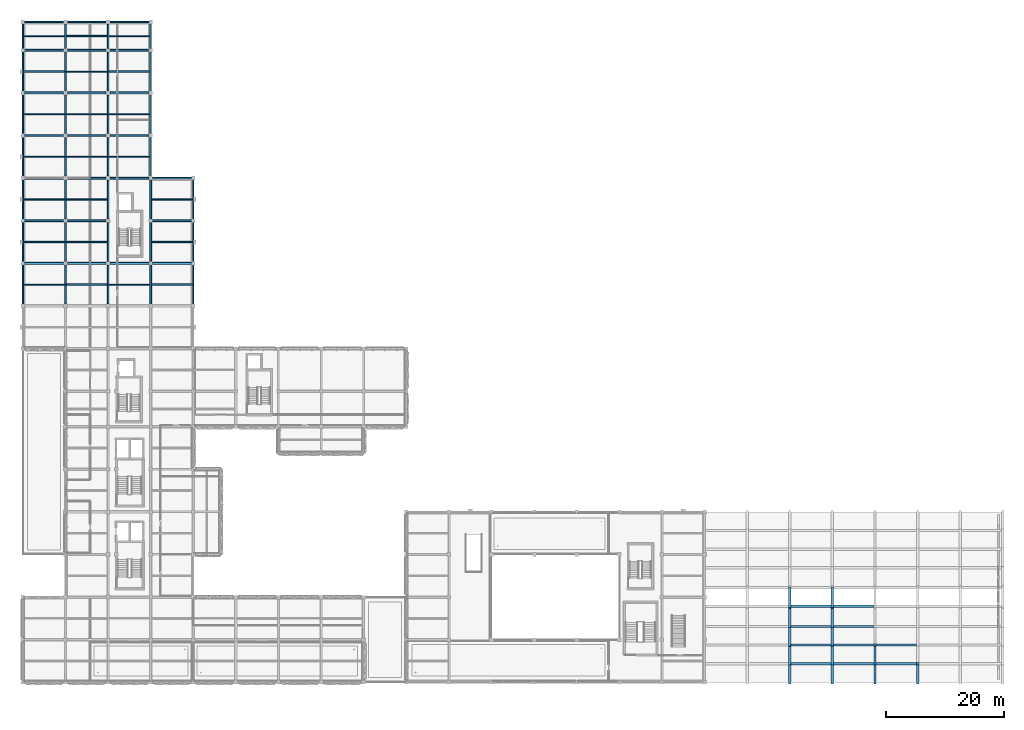
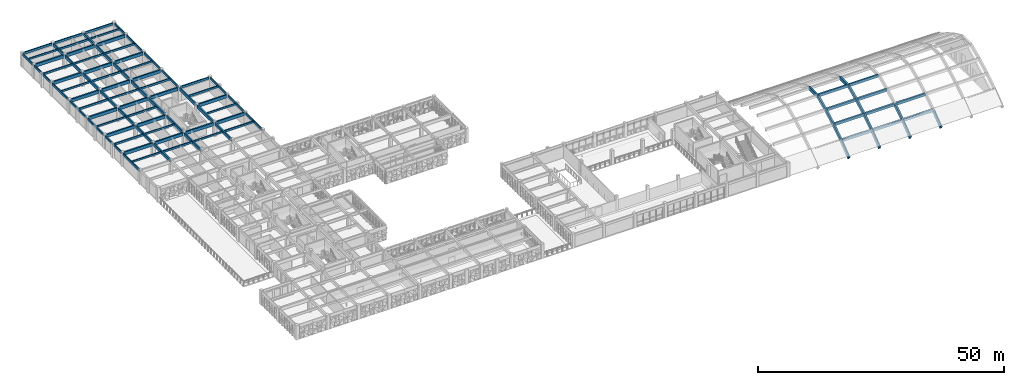
# One storey, part 17 of 85: 99 beams.
"""IFC4 building model written with IfcOpenShell, lengths in metres."""

from ifc_helpers import new_model, si_unit, direction, frame, origin, origin_2d, place, context, subcontext, project, spatial, rectangle, extrude, material, material_profile, profile_set, type_object, element, save


model = new_model("IFC4")

# Units and contexts
model_context = context("Model", 3, precision=1e-05, world=origin(), true_north=direction((0.0, 1.0)))
body_context = subcontext(model_context, "Body", "Model", "MODEL_VIEW")
ifc_project = project(units=[si_unit("LENGTHUNIT", "METRE"), si_unit("AREAUNIT", "SQUARE_METRE"), si_unit("VOLUMEUNIT", "CUBIC_METRE"), si_unit("PLANEANGLEUNIT", "RADIAN"), si_unit("MASSUNIT", "GRAM", prefix="KILO")], contexts=[model_context])

# Site, building, storey
site_placement = place(None, origin())
site = spatial("IfcSite", under=ifc_project, at=site_placement, CompositionType="ELEMENT")
building_placement = place(site_placement, origin())
building = spatial("IfcBuilding", under=site, at=building_placement, Name="Alvorim Cloister Faculty of Sciences", CompositionType="ELEMENT")
storey_placement = place(building_placement, frame((0.0, 0.0, 8.550048828125)))
storey = spatial("IfcBuildingStorey", under=building, at=storey_placement, Name="L02", CompositionType="ELEMENT", Elevation=8.550048828125)

# Beams
ifc_material_1 = material(Name="Concrete C40", Category="concrete")
ifc_material_profile_1 = material_profile(ifc_material_1, rectangle(XDim=0.39990234375, YDim=0.800048828125, at=origin_2d()), Name="RC40-ARCH-400x800")
ifc_profile_set_1 = profile_set([ifc_material_profile_1], Name="Concrete C40")
beam_type_1 = type_object("IfcBeamType", Name="BM-ARCH-400x800", PredefinedType="BEAM", material=ifc_profile_set_1)
beam_1_placement = place(storey_placement, frame((129.60009765625, 0.0, -0.526123046875), z_axis=(0.0, 0.78931927421, 0.61398296667), x_axis=(-1.0, 0.0, 0.0)))
element("IfcBeam", 1, at=beam_1_placement, inside=storey, type_object=beam_type_1, Name="SH-V1 Pointed Arch Rib Chord BM-2274", PredefinedType="BEAM", context=body_context, shape_type="SweptSolid", body=[
    extrude(rectangle(XDim=0.39990234375, YDim=0.800048828125, at=origin_2d()), origin(), (0.0, 0.0, 1.0), 3.99072265625),
])
beam_2_placement = place(storey_placement, frame((129.60009765625, 3.14990234375, 1.924072265625), z_axis=(0.0, 0.836362754786, 0.548176378921), x_axis=(-1.0, 0.0, 0.0)))
element("IfcBeam", 2, at=beam_2_placement, inside=storey, type_object=beam_type_1, Name="SH-V1 Pointed Arch Rib Chord BM-2275", PredefinedType="BEAM", context=body_context, shape_type="SweptSolid", body=[
    extrude(rectangle(XDim=0.39990234375, YDim=0.800048828125, at=origin_2d()), origin(), (0.0, 0.0, 1.0), 3.7666015625),
])
beam_3_placement = place(storey_placement, frame((129.60009765625, 6.300048828125, 3.98876953125), z_axis=(0.0, 0.875903252887, 0.48248677866), x_axis=(-1.0, 0.0, 0.0)))
element("IfcBeam", 3, at=beam_3_placement, inside=storey, type_object=beam_type_1, Name="SH-V1 Pointed Arch Rib Chord BM-2276", PredefinedType="BEAM", context=body_context, shape_type="SweptSolid", body=[
    extrude(rectangle(XDim=0.39990234375, YDim=0.800048828125, at=origin_2d()), origin(), (0.0, 0.0, 1.0), 3.59619140625),
])
beam_4_placement = place(storey_placement, frame((129.60009765625, 9.449951171875, 5.723876953125), z_axis=(0.0, 0.909008111331, 0.416778422587), x_axis=(-1.0, 0.0, 0.0)))
element("IfcBeam", 4, at=beam_4_placement, inside=storey, type_object=beam_type_1, Name="SH-V1 Pointed Arch Rib Chord BM-2277", PredefinedType="BEAM", context=body_context, shape_type="SweptSolid", body=[
    extrude(rectangle(XDim=0.39990234375, YDim=0.800048828125, at=origin_2d()), origin(), (0.0, 0.0, 1.0), 3.465576171875),
])
beam_5_placement = place(storey_placement, frame((129.60009765625, 12.659912109375, 7.1640625), z_axis=(0.0, 1.0, 0.0), x_axis=(-1.0, 0.0, 0.0)))
element("IfcBeam", 5, at=beam_5_placement, inside=storey, type_object=beam_type_1, Name="L02 SH-V1 Arch Crown Tie BM-2282", PredefinedType="BEAM", context=body_context, shape_type="SweptSolid", body=[
    extrude(rectangle(XDim=0.39990234375, YDim=0.800048828125, at=origin_2d()), origin(), (0.0, 0.0, 1.0), 3.47998046875),
])
beam_6_placement = place(storey_placement, frame((136.800048828125, 0.0, -0.526123046875), z_axis=(0.0, 0.78931927421, 0.61398296667), x_axis=(-1.0, 0.0, 0.0)))
element("IfcBeam", 6, at=beam_6_placement, inside=storey, type_object=beam_type_1, Name="SH-V1 Pointed Arch Rib Chord BM-2283", PredefinedType="BEAM", context=body_context, shape_type="SweptSolid", body=[
    extrude(rectangle(XDim=0.39990234375, YDim=0.800048828125, at=origin_2d()), origin(), (0.0, 0.0, 1.0), 3.99072265625),
])
beam_7_placement = place(storey_placement, frame((136.800048828125, 3.14990234375, 1.924072265625), z_axis=(0.0, 0.836362754786, 0.548176378921), x_axis=(-1.0, 0.0, 0.0)))
element("IfcBeam", 7, at=beam_7_placement, inside=storey, type_object=beam_type_1, Name="SH-V1 Pointed Arch Rib Chord BM-2284", PredefinedType="BEAM", context=body_context, shape_type="SweptSolid", body=[
    extrude(rectangle(XDim=0.39990234375, YDim=0.800048828125, at=origin_2d()), origin(), (0.0, 0.0, 1.0), 3.7666015625),
])
beam_8_placement = place(storey_placement, frame((136.800048828125, 6.300048828125, 3.98876953125), z_axis=(0.0, 0.875903252887, 0.48248677866), x_axis=(-1.0, 0.0, 0.0)))
element("IfcBeam", 8, at=beam_8_placement, inside=storey, type_object=beam_type_1, Name="SH-V1 Pointed Arch Rib Chord BM-2285", PredefinedType="BEAM", context=body_context, shape_type="SweptSolid", body=[
    extrude(rectangle(XDim=0.39990234375, YDim=0.800048828125, at=origin_2d()), origin(), (0.0, 0.0, 1.0), 3.59619140625),
])
beam_9_placement = place(storey_placement, frame((136.800048828125, 9.449951171875, 5.723876953125), z_axis=(0.0, 0.909008111331, 0.416778422587), x_axis=(-1.0, 0.0, 0.0)))
element("IfcBeam", 9, at=beam_9_placement, inside=storey, type_object=beam_type_1, Name="SH-V1 Pointed Arch Rib Chord BM-2286", PredefinedType="BEAM", context=body_context, shape_type="SweptSolid", body=[
    extrude(rectangle(XDim=0.39990234375, YDim=0.800048828125, at=origin_2d()), origin(), (0.0, 0.0, 1.0), 3.465576171875),
])
beam_10_placement = place(storey_placement, frame((136.800048828125, 12.659912109375, 7.1640625), z_axis=(0.0, 1.0, 0.0), x_axis=(-1.0, 0.0, 0.0)))
element("IfcBeam", 10, at=beam_10_placement, inside=storey, type_object=beam_type_1, Name="L02 SH-V1 Arch Crown Tie BM-2291", PredefinedType="BEAM", context=body_context, shape_type="SweptSolid", body=[
    extrude(rectangle(XDim=0.39990234375, YDim=0.800048828125, at=origin_2d()), origin(), (0.0, 0.0, 1.0), 3.47998046875),
])
beam_11_placement = place(storey_placement, frame((144.0, 0.0, -0.526123046875), z_axis=(0.0, 0.78931927421, 0.61398296667), x_axis=(-1.0, 0.0, 0.0)))
element("IfcBeam", 11, at=beam_11_placement, inside=storey, type_object=beam_type_1, Name="SH-V1 Pointed Arch Rib Chord BM-2292", PredefinedType="BEAM", context=body_context, shape_type="SweptSolid", body=[
    extrude(rectangle(XDim=0.39990234375, YDim=0.800048828125, at=origin_2d()), origin(), (0.0, 0.0, 1.0), 3.99072265625),
])
beam_12_placement = place(storey_placement, frame((144.0, 3.14990234375, 1.924072265625), z_axis=(0.0, 0.836362754786, 0.548176378921), x_axis=(-1.0, 0.0, 0.0)))
element("IfcBeam", 12, at=beam_12_placement, inside=storey, type_object=beam_type_1, Name="SH-V1 Pointed Arch Rib Chord BM-2293", PredefinedType="BEAM", context=body_context, shape_type="SweptSolid", body=[
    extrude(rectangle(XDim=0.39990234375, YDim=0.800048828125, at=origin_2d()), origin(), (0.0, 0.0, 1.0), 3.7666015625),
])
beam_13_placement = place(storey_placement, frame((151.199951171875, 0.0, -0.526123046875), z_axis=(0.0, 0.78931927421, 0.61398296667), x_axis=(-1.0, 0.0, 0.0)))
element("IfcBeam", 13, at=beam_13_placement, inside=storey, type_object=beam_type_1, Name="SH-V1 Pointed Arch Rib Chord BM-2301", PredefinedType="BEAM", context=body_context, shape_type="SweptSolid", body=[
    extrude(rectangle(XDim=0.39990234375, YDim=0.800048828125, at=origin_2d()), origin(), (0.0, 0.0, 1.0), 3.99072265625),
])
ifc_material_2 = material(Name="Glulam GL32h", Category="wood")
ifc_material_profile_2 = material_profile(ifc_material_2, rectangle(XDim=0.300048828125, YDim=0.719970703125, at=origin_2d()), Name="GL32-BM-300x720")
ifc_profile_set_2 = profile_set([ifc_material_profile_2], Name="Glulam GL32h")
beam_type_2 = type_object("IfcBeamType", Name="BM-GL-300x720", PredefinedType="BEAM", material=ifc_profile_set_2)
beam_14_placement = place(storey_placement, frame((7.199951171875, 63.919921875, 3.030029296875), z_axis=(0.0, 1.0, 0.0), x_axis=(-1.0, 0.0, 0.0)))
element("IfcBeam", 14, at=beam_14_placement, inside=storey, type_object=beam_type_2, Name="L02 Primary Girder BM-1358", PredefinedType="BEAM", context=body_context, shape_type="SweptSolid", body=[
    extrude(rectangle(XDim=0.300048828125, YDim=0.719970703125, at=origin_2d()), origin(), (0.0, 0.0, 1.0), 6.56005859375),
])
for number, where, z_axis, x_axis, name in (
    (15, (7.199951171875, 71.1201171875, 3.030029296875), (0.0, 1.0, 0.0), (-1.0, 0.0, 0.0), "L02 Primary Girder BM-1359"),
    (16, (7.199951171875, 78.320068359375, 3.030029296875), (0.0, 1.0, 0.0), (-1.0, 0.0, 0.0), "L02 Primary Girder BM-1360"),
):
    element("IfcBeam", number, at=place(storey_placement, frame(where, z_axis=z_axis, x_axis=x_axis)), inside=storey, type_object=beam_type_2, Name=name, PredefinedType="BEAM", context=body_context, shape_type="SweptSolid", body=[
        extrude(rectangle(XDim=0.300048828125, YDim=0.719970703125, at=origin_2d()), origin(), (0.0, 0.0, 1.0), 6.559814453125),
    ])
for number, where, z_axis, x_axis, name in (
    (17, (7.199951171875, 85.52001953125, 3.030029296875), (0.0, 1.0, 0.0), (-1.0, 0.0, 0.0), "L02 Primary Girder BM-1361"),
    (18, (7.199951171875, 92.719970703125, 3.030029296875), (0.0, 1.0, 0.0), (-1.0, 0.0, 0.0), "L02 Primary Girder BM-1362"),
    (19, (7.199951171875, 99.919921875, 3.030029296875), (0.0, 1.0, 0.0), (-1.0, 0.0, 0.0), "L02 Primary Girder BM-1363"),
):
    element("IfcBeam", number, at=place(storey_placement, frame(where, z_axis=z_axis, x_axis=x_axis)), inside=storey, type_object=beam_type_2, Name=name, PredefinedType="BEAM", context=body_context, shape_type="SweptSolid", body=[
        extrude(rectangle(XDim=0.300048828125, YDim=0.719970703125, at=origin_2d()), origin(), (0.0, 0.0, 1.0), 6.56005859375),
    ])
beam_15_placement = place(storey_placement, frame((7.199951171875, 107.1201171875, 3.030029296875), z_axis=(0.0, 1.0, 0.0), x_axis=(-1.0, 0.0, 0.0)))
element("IfcBeam", 20, at=beam_15_placement, inside=storey, type_object=beam_type_2, Name="L02 Primary Girder BM-1364", PredefinedType="BEAM", context=body_context, shape_type="SweptSolid", body=[
    extrude(rectangle(XDim=0.300048828125, YDim=0.719970703125, at=origin_2d()), origin(), (0.0, 0.0, 1.0), 4.159912109375),
])
beam_16_placement = place(storey_placement, frame((14.39990234375, 63.919921875, 3.030029296875), z_axis=(0.0, 1.0, 0.0), x_axis=(-1.0, 0.0, 0.0)))
element("IfcBeam", 21, at=beam_16_placement, inside=storey, type_object=beam_type_2, Name="L02 Primary Girder BM-1374", PredefinedType="BEAM", context=body_context, shape_type="SweptSolid", body=[
    extrude(rectangle(XDim=0.300048828125, YDim=0.719970703125, at=origin_2d()), origin(), (0.0, 0.0, 1.0), 6.56005859375),
])
for number, where, z_axis, x_axis, name in (
    (22, (14.39990234375, 71.1201171875, 3.030029296875), (0.0, 1.0, 0.0), (-1.0, 0.0, 0.0), "L02 Primary Girder BM-1375"),
    (23, (14.39990234375, 78.320068359375, 3.030029296875), (0.0, 1.0, 0.0), (-1.0, 0.0, 0.0), "L02 Primary Girder BM-1376"),
):
    element("IfcBeam", number, at=place(storey_placement, frame(where, z_axis=z_axis, x_axis=x_axis)), inside=storey, type_object=beam_type_2, Name=name, PredefinedType="BEAM", context=body_context, shape_type="SweptSolid", body=[
        extrude(rectangle(XDim=0.300048828125, YDim=0.719970703125, at=origin_2d()), origin(), (0.0, 0.0, 1.0), 6.559814453125),
    ])
for number, where, z_axis, x_axis, name in (
    (24, (14.39990234375, 85.52001953125, 3.030029296875), (0.0, 1.0, 0.0), (-1.0, 0.0, 0.0), "L02 Primary Girder BM-1377"),
    (25, (14.39990234375, 92.719970703125, 3.030029296875), (0.0, 1.0, 0.0), (-1.0, 0.0, 0.0), "L02 Primary Girder BM-1378"),
    (26, (14.39990234375, 99.919921875, 3.030029296875), (0.0, 1.0, 0.0), (-1.0, 0.0, 0.0), "L02 Primary Girder BM-1379"),
):
    element("IfcBeam", number, at=place(storey_placement, frame(where, z_axis=z_axis, x_axis=x_axis)), inside=storey, type_object=beam_type_2, Name=name, PredefinedType="BEAM", context=body_context, shape_type="SweptSolid", body=[
        extrude(rectangle(XDim=0.300048828125, YDim=0.719970703125, at=origin_2d()), origin(), (0.0, 0.0, 1.0), 6.56005859375),
    ])
beam_17_placement = place(storey_placement, frame((14.39990234375, 107.1201171875, 3.030029296875), z_axis=(0.0, 1.0, 0.0), x_axis=(-1.0, 0.0, 0.0)))
element("IfcBeam", 27, at=beam_17_placement, inside=storey, type_object=beam_type_2, Name="L02 Primary Girder BM-1380", PredefinedType="BEAM", context=body_context, shape_type="SweptSolid", body=[
    extrude(rectangle(XDim=0.300048828125, YDim=0.719970703125, at=origin_2d()), origin(), (0.0, 0.0, 1.0), 4.159912109375),
])
beam_18_placement = place(storey_placement, frame((21.60009765625, 63.919921875, 3.030029296875), z_axis=(0.0, 1.0, 0.0), x_axis=(-1.0, 0.0, 0.0)))
element("IfcBeam", 28, at=beam_18_placement, inside=storey, type_object=beam_type_2, Name="L02 Primary Girder BM-1390", PredefinedType="BEAM", context=body_context, shape_type="SweptSolid", body=[
    extrude(rectangle(XDim=0.300048828125, YDim=0.719970703125, at=origin_2d()), origin(), (0.0, 0.0, 1.0), 6.56005859375),
])
for number, where, z_axis, x_axis, name in (
    (29, (21.60009765625, 71.1201171875, 3.030029296875), (0.0, 1.0, 0.0), (-1.0, 0.0, 0.0), "L02 Primary Girder BM-1391"),
    (30, (21.60009765625, 78.320068359375, 3.030029296875), (0.0, 1.0, 0.0), (-1.0, 0.0, 0.0), "L02 Primary Girder BM-1392"),
):
    element("IfcBeam", number, at=place(storey_placement, frame(where, z_axis=z_axis, x_axis=x_axis)), inside=storey, type_object=beam_type_2, Name=name, PredefinedType="BEAM", context=body_context, shape_type="SweptSolid", body=[
        extrude(rectangle(XDim=0.300048828125, YDim=0.719970703125, at=origin_2d()), origin(), (0.0, 0.0, 1.0), 6.559814453125),
    ])
ifc_material_profile_3 = material_profile(ifc_material_2, rectangle(XDim=0.320068359375, YDim=0.780029296875, at=origin_2d()), Name="GL32-BM-320x780")
ifc_profile_set_3 = profile_set([ifc_material_profile_3], Name="Glulam GL32h")
beam_type_3 = type_object("IfcBeamType", Name="BM-GL-320x780", PredefinedType="BEAM", material=ifc_profile_set_3)
beam_19_placement = place(storey_placement, frame((0.320068359375, 70.800048828125, 3.0), z_axis=(1.0, 0.0, 0.0), x_axis=(0.0, 1.0, 0.0)))
element("IfcBeam", 31, at=beam_19_placement, inside=storey, type_object=beam_type_3, Name="L02 Primary Beam BM-1316", PredefinedType="BEAM", context=body_context, shape_type="SweptSolid", body=[
    extrude(rectangle(XDim=0.320068359375, YDim=0.780029296875, at=origin_2d()), origin(), (0.0, 0.0, 1.0), 6.559814453125),
])
for number, where, z_axis, x_axis, name in (
    (32, (7.52001953125, 70.800048828125, 3.0), (1.0, 0.0, 0.0), (0.0, 1.0, 0.0), "L02 Primary Beam BM-1317"),
    (33, (14.719970703125, 70.800048828125, 3.0), (1.0, 0.0, 0.0), (0.0, 1.0, 0.0), "L02 Primary Beam BM-1318"),
    (34, (21.919921875, 70.800048828125, 3.0), (1.0, 0.0, 0.0), (0.0, 1.0, 0.0), "L02 Primary Beam BM-1319"),
):
    element("IfcBeam", number, at=place(storey_placement, frame(where, z_axis=z_axis, x_axis=x_axis)), inside=storey, type_object=beam_type_3, Name=name, PredefinedType="BEAM", context=body_context, shape_type="SweptSolid", body=[
        extrude(rectangle(XDim=0.320068359375, YDim=0.780029296875, at=origin_2d()), origin(), (0.0, 0.0, 1.0), 6.56005859375),
    ])
beam_20_placement = place(storey_placement, frame((0.320068359375, 78.0, 3.0), z_axis=(1.0, 0.0, 0.0), x_axis=(0.0, 1.0, 0.0)))
element("IfcBeam", 35, at=beam_20_placement, inside=storey, type_object=beam_type_3, Name="L02 Primary Beam BM-1320", PredefinedType="BEAM", context=body_context, shape_type="SweptSolid", body=[
    extrude(rectangle(XDim=0.320068359375, YDim=0.780029296875, at=origin_2d()), origin(), (0.0, 0.0, 1.0), 6.559814453125),
])
for number, where, z_axis, x_axis, name in (
    (36, (7.52001953125, 78.0, 3.0), (1.0, 0.0, 0.0), (0.0, 1.0, 0.0), "L02 Primary Beam BM-1321"),
    (37, (21.919921875, 78.0, 3.0), (1.0, 0.0, 0.0), (0.0, 1.0, 0.0), "L02 Primary Beam BM-1322"),
):
    element("IfcBeam", number, at=place(storey_placement, frame(where, z_axis=z_axis, x_axis=x_axis)), inside=storey, type_object=beam_type_3, Name=name, PredefinedType="BEAM", context=body_context, shape_type="SweptSolid", body=[
        extrude(rectangle(XDim=0.320068359375, YDim=0.780029296875, at=origin_2d()), origin(), (0.0, 0.0, 1.0), 6.56005859375),
    ])
beam_21_placement = place(storey_placement, frame((0.320068359375, 85.199951171875, 3.0), z_axis=(1.0, 0.0, 0.0), x_axis=(0.0, 1.0, 0.0)))
element("IfcBeam", 38, at=beam_21_placement, inside=storey, type_object=beam_type_3, Name="L02 Primary Beam BM-1323", PredefinedType="BEAM", context=body_context, shape_type="SweptSolid", body=[
    extrude(rectangle(XDim=0.320068359375, YDim=0.780029296875, at=origin_2d()), origin(), (0.0, 0.0, 1.0), 6.559814453125),
])
for number, where, z_axis, x_axis, name in (
    (39, (7.52001953125, 85.199951171875, 3.0), (1.0, 0.0, 0.0), (0.0, 1.0, 0.0), "L02 Primary Beam BM-1324"),
    (40, (14.719970703125, 85.199951171875, 3.0), (1.0, 0.0, 0.0), (0.0, 1.0, 0.0), "L02 Primary Beam BM-1325"),
):
    element("IfcBeam", number, at=place(storey_placement, frame(where, z_axis=z_axis, x_axis=x_axis)), inside=storey, type_object=beam_type_3, Name=name, PredefinedType="BEAM", context=body_context, shape_type="SweptSolid", body=[
        extrude(rectangle(XDim=0.320068359375, YDim=0.780029296875, at=origin_2d()), origin(), (0.0, 0.0, 1.0), 6.56005859375),
    ])
beam_22_placement = place(storey_placement, frame((0.320068359375, 92.39990234375, 3.0), z_axis=(1.0, 0.0, 0.0), x_axis=(0.0, 1.0, 0.0)))
element("IfcBeam", 41, at=beam_22_placement, inside=storey, type_object=beam_type_3, Name="L02 Primary Beam BM-1327", PredefinedType="BEAM", context=body_context, shape_type="SweptSolid", body=[
    extrude(rectangle(XDim=0.320068359375, YDim=0.780029296875, at=origin_2d()), origin(), (0.0, 0.0, 1.0), 6.559814453125),
])
for number, where, z_axis, x_axis, name in (
    (42, (7.52001953125, 92.39990234375, 3.0), (1.0, 0.0, 0.0), (0.0, 1.0, 0.0), "L02 Primary Beam BM-1328"),
    (43, (14.719970703125, 92.39990234375, 3.0), (1.0, 0.0, 0.0), (0.0, 1.0, 0.0), "L02 Primary Beam BM-1329"),
):
    element("IfcBeam", number, at=place(storey_placement, frame(where, z_axis=z_axis, x_axis=x_axis)), inside=storey, type_object=beam_type_3, Name=name, PredefinedType="BEAM", context=body_context, shape_type="SweptSolid", body=[
        extrude(rectangle(XDim=0.320068359375, YDim=0.780029296875, at=origin_2d()), origin(), (0.0, 0.0, 1.0), 6.56005859375),
    ])
beam_23_placement = place(storey_placement, frame((0.320068359375, 99.60009765625, 3.0), z_axis=(1.0, 0.0, 0.0), x_axis=(0.0, 1.0, 0.0)))
element("IfcBeam", 44, at=beam_23_placement, inside=storey, type_object=beam_type_3, Name="L02 Primary Beam BM-1330", PredefinedType="BEAM", context=body_context, shape_type="SweptSolid", body=[
    extrude(rectangle(XDim=0.320068359375, YDim=0.780029296875, at=origin_2d()), origin(), (0.0, 0.0, 1.0), 6.559814453125),
])
for number, where, z_axis, x_axis, name in (
    (45, (7.52001953125, 99.60009765625, 3.0), (1.0, 0.0, 0.0), (0.0, 1.0, 0.0), "L02 Primary Beam BM-1331"),
    (46, (14.719970703125, 99.60009765625, 3.0), (1.0, 0.0, 0.0), (0.0, 1.0, 0.0), "L02 Primary Beam BM-1332"),
):
    element("IfcBeam", number, at=place(storey_placement, frame(where, z_axis=z_axis, x_axis=x_axis)), inside=storey, type_object=beam_type_3, Name=name, PredefinedType="BEAM", context=body_context, shape_type="SweptSolid", body=[
        extrude(rectangle(XDim=0.320068359375, YDim=0.780029296875, at=origin_2d()), origin(), (0.0, 0.0, 1.0), 6.56005859375),
    ])
beam_24_placement = place(storey_placement, frame((0.320068359375, 106.800048828125, 3.0), z_axis=(1.0, 0.0, 0.0), x_axis=(0.0, 1.0, 0.0)))
element("IfcBeam", 47, at=beam_24_placement, inside=storey, type_object=beam_type_3, Name="L02 Primary Beam BM-1333", PredefinedType="BEAM", context=body_context, shape_type="SweptSolid", body=[
    extrude(rectangle(XDim=0.320068359375, YDim=0.780029296875, at=origin_2d()), origin(), (0.0, 0.0, 1.0), 6.559814453125),
])
for number, where, z_axis, x_axis, name in (
    (48, (7.52001953125, 106.800048828125, 3.0), (1.0, 0.0, 0.0), (0.0, 1.0, 0.0), "L02 Primary Beam BM-1334"),
    (49, (14.719970703125, 106.800048828125, 3.0), (1.0, 0.0, 0.0), (0.0, 1.0, 0.0), "L02 Primary Beam BM-1335"),
):
    element("IfcBeam", number, at=place(storey_placement, frame(where, z_axis=z_axis, x_axis=x_axis)), inside=storey, type_object=beam_type_3, Name=name, PredefinedType="BEAM", context=body_context, shape_type="SweptSolid", body=[
        extrude(rectangle(XDim=0.320068359375, YDim=0.780029296875, at=origin_2d()), origin(), (0.0, 0.0, 1.0), 6.56005859375),
    ])
ifc_material_3 = material(Name="Glulam GL28h", Category="wood")
ifc_material_profile_4 = material_profile(ifc_material_3, rectangle(XDim=0.199951171875, YDim=0.419921875, at=origin_2d()), Name="GL28-JST-200x420")
ifc_profile_set_4 = profile_set([ifc_material_profile_4], Name="Glulam GL28h")
beam_type_4 = type_object("IfcBeamType", Name="BM-JST-GL-200x420", PredefinedType="JOIST", material=ifc_profile_set_4)
for number, where, z_axis, x_axis, name in (
    (50, (0.1201171875, 67.199951171875, 3.179931640625), (1.0, 0.0, 0.0), (0.0, 1.0, 0.0), "L02 Secondary Floor Joist BM-1440"),
    (51, (0.1201171875, 81.60009765625, 3.179931640625), (1.0, 0.0, 0.0), (0.0, 1.0, 0.0), "L02 Secondary Floor Joist BM-1442"),
    (52, (0.1201171875, 96.0, 3.179931640625), (1.0, 0.0, 0.0), (0.0, 1.0, 0.0), "L02 Secondary Floor Joist BM-1444"),
    (53, (0.1201171875, 109.199951171875, 3.179931640625), (1.0, 0.0, 0.0), (0.0, 1.0, 0.0), "L02 Secondary Floor Joist BM-1446"),
):
    element("IfcBeam", number, at=place(storey_placement, frame(where, z_axis=z_axis, x_axis=x_axis)), inside=storey, type_object=beam_type_4, Name=name, PredefinedType="JOIST", context=body_context, shape_type="SweptSolid", body=[
        extrude(rectangle(XDim=0.199951171875, YDim=0.419921875, at=origin_2d()), origin(), (0.0, 0.0, 1.0), 6.929931640625),
    ])
for number, where, z_axis, x_axis, name in (
    (54, (7.35009765625, 74.39990234375, 3.179931640625), (1.0, 0.0, 0.0), (0.0, 1.0, 0.0), "L02 Secondary Floor Joist BM-1457"),
    (55, (7.35009765625, 88.800048828125, 3.179931640625), (1.0, 0.0, 0.0), (0.0, 1.0, 0.0), "L02 Secondary Floor Joist BM-1459"),
    (56, (7.35009765625, 103.199951171875, 3.179931640625), (1.0, 0.0, 0.0), (0.0, 1.0, 0.0), "L02 Secondary Floor Joist BM-1461"),
    (57, (14.550048828125, 67.199951171875, 3.179931640625), (1.0, 0.0, 0.0), (0.0, 1.0, 0.0), "L02 Secondary Floor Joist BM-1466"),
):
    element("IfcBeam", number, at=place(storey_placement, frame(where, z_axis=z_axis, x_axis=x_axis)), inside=storey, type_object=beam_type_4, Name=name, PredefinedType="JOIST", context=body_context, shape_type="SweptSolid", body=[
        extrude(rectangle(XDim=0.199951171875, YDim=0.419921875, at=origin_2d()), origin(), (0.0, 0.0, 1.0), 6.89990234375),
    ])
for number, where, z_axis, x_axis, name in (
    (58, (14.550048828125, 96.0, 3.179931640625), (1.0, 0.0, 0.0), (0.0, 1.0, 0.0), "L02 Secondary Floor Joist BM-1468"),
    (59, (14.550048828125, 109.199951171875, 3.179931640625), (1.0, 0.0, 0.0), (0.0, 1.0, 0.0), "L02 Secondary Floor Joist BM-1470"),
    (60, (21.75, 74.39990234375, 3.179931640625), (1.0, 0.0, 0.0), (0.0, 1.0, 0.0), "L02 Secondary Floor Joist BM-1481"),
):
    element("IfcBeam", number, at=place(storey_placement, frame(where, z_axis=z_axis, x_axis=x_axis)), inside=storey, type_object=beam_type_4, Name=name, PredefinedType="JOIST", context=body_context, shape_type="SweptSolid", body=[
        extrude(rectangle(XDim=0.199951171875, YDim=0.419921875, at=origin_2d()), origin(), (0.0, 0.0, 1.0), 6.929931640625),
    ])
ifc_material_profile_5 = material_profile(ifc_material_3, rectangle(XDim=0.219970703125, YDim=0.47998046875, at=origin_2d()), Name="GL28-JST-220x480")
ifc_profile_set_5 = profile_set([ifc_material_profile_5], Name="Glulam GL28h")
beam_type_5 = type_object("IfcBeamType", Name="BM-JST-GL-220x480", PredefinedType="JOIST", material=ifc_profile_set_5)
for number, where, z_axis, x_axis, name in (
    (61, (0.1201171875, 74.39990234375, 3.14990234375), (1.0, 0.0, 0.0), (0.0, 1.0, 0.0), "L02 Secondary Floor Joist BM-1441"),
    (62, (0.1201171875, 88.800048828125, 3.14990234375), (1.0, 0.0, 0.0), (0.0, 1.0, 0.0), "L02 Secondary Floor Joist BM-1443"),
    (63, (0.1201171875, 103.199951171875, 3.14990234375), (1.0, 0.0, 0.0), (0.0, 1.0, 0.0), "L02 Secondary Floor Joist BM-1445"),
):
    element("IfcBeam", number, at=place(storey_placement, frame(where, z_axis=z_axis, x_axis=x_axis)), inside=storey, type_object=beam_type_5, Name=name, PredefinedType="JOIST", context=body_context, shape_type="SweptSolid", body=[
        extrude(rectangle(XDim=0.219970703125, YDim=0.47998046875, at=origin_2d()), origin(), (0.0, 0.0, 1.0), 6.929931640625),
    ])
for number, where, z_axis, x_axis, name in (
    (64, (7.35009765625, 67.199951171875, 3.14990234375), (1.0, 0.0, 0.0), (0.0, 1.0, 0.0), "L02 Secondary Floor Joist BM-1456"),
    (65, (7.35009765625, 81.60009765625, 3.14990234375), (1.0, 0.0, 0.0), (0.0, 1.0, 0.0), "L02 Secondary Floor Joist BM-1458"),
    (66, (7.35009765625, 96.0, 3.14990234375), (1.0, 0.0, 0.0), (0.0, 1.0, 0.0), "L02 Secondary Floor Joist BM-1460"),
    (67, (7.35009765625, 109.199951171875, 3.14990234375), (1.0, 0.0, 0.0), (0.0, 1.0, 0.0), "L02 Secondary Floor Joist BM-1462"),
):
    element("IfcBeam", number, at=place(storey_placement, frame(where, z_axis=z_axis, x_axis=x_axis)), inside=storey, type_object=beam_type_5, Name=name, PredefinedType="JOIST", context=body_context, shape_type="SweptSolid", body=[
        extrude(rectangle(XDim=0.219970703125, YDim=0.47998046875, at=origin_2d()), origin(), (0.0, 0.0, 1.0), 6.89990234375),
    ])
for number, where, z_axis, x_axis, name in (
    (68, (14.550048828125, 88.800048828125, 3.14990234375), (1.0, 0.0, 0.0), (0.0, 1.0, 0.0), "L02 Secondary Floor Joist BM-1467"),
    (69, (14.550048828125, 103.199951171875, 3.14990234375), (1.0, 0.0, 0.0), (0.0, 1.0, 0.0), "L02 Secondary Floor Joist BM-1469"),
    (70, (21.75, 67.199951171875, 3.14990234375), (1.0, 0.0, 0.0), (0.0, 1.0, 0.0), "L02 Secondary Floor Joist BM-1480"),
    (71, (21.75, 81.60009765625, 3.14990234375), (1.0, 0.0, 0.0), (0.0, 1.0, 0.0), "L02 Secondary Floor Joist BM-1482"),
):
    element("IfcBeam", number, at=place(storey_placement, frame(where, z_axis=z_axis, x_axis=x_axis)), inside=storey, type_object=beam_type_5, Name=name, PredefinedType="JOIST", context=body_context, shape_type="SweptSolid", body=[
        extrude(rectangle(XDim=0.219970703125, YDim=0.47998046875, at=origin_2d()), origin(), (0.0, 0.0, 1.0), 6.929931640625),
    ])
ifc_material_profile_6 = material_profile(ifc_material_1, rectangle(XDim=0.3798828125, YDim=0.64990234375, at=origin_2d()), Name="RC40-BM-380x650")
ifc_profile_set_6 = profile_set([ifc_material_profile_6], Name="Concrete C40")
beam_type_6 = type_object("IfcBeamType", Name="BM-RC-380x650", PredefinedType="BEAM", material=ifc_profile_set_6)
for number, where, z_axis, x_axis, name in (
    (72, (129.800048828125, 3.14990234375, 1.98486328125), (1.0, 0.0, 0.0), (0.0, 1.0, 0.0), "L02 SH-V1 Vault Stringer BM-2330"),
    (73, (137.0, 3.14990234375, 1.98486328125), (1.0, 0.0, 0.0), (0.0, 1.0, 0.0), "L02 SH-V1 Vault Stringer BM-2331"),
    (74, (144.199951171875, 3.14990234375, 1.98486328125), (1.0, 0.0, 0.0), (0.0, 1.0, 0.0), "L02 SH-V1 Vault Stringer BM-2332"),
    (75, (129.800048828125, 6.300048828125, 4.049560546875), (1.0, 0.0, 0.0), (0.0, 1.0, 0.0), "L02 SH-V1 Vault Stringer BM-2337"),
    (76, (137.0, 6.300048828125, 4.049560546875), (1.0, 0.0, 0.0), (0.0, 1.0, 0.0), "L02 SH-V1 Vault Stringer BM-2338"),
    (77, (144.199951171875, 6.300048828125, 4.049560546875), (1.0, 0.0, 0.0), (0.0, 1.0, 0.0), "L02 SH-V1 Vault Stringer BM-2339"),
    (78, (129.800048828125, 9.449951171875, 5.784912109375), (1.0, 0.0, 0.0), (0.0, 1.0, 0.0), "L02 SH-V1 Vault Stringer BM-2344"),
    (79, (137.0, 9.449951171875, 5.784912109375), (1.0, 0.0, 0.0), (0.0, 1.0, 0.0), "L02 SH-V1 Vault Stringer BM-2345"),
    (80, (129.800048828125, 12.840087890625, 7.2392578125), (1.0, 0.0, 0.0), (0.0, 1.0, 0.0), "L02 SH-V1 Lantern Curb Beam BM-2372"),
    (81, (137.0, 12.840087890625, 7.2392578125), (1.0, 0.0, 0.0), (0.0, 1.0, 0.0), "L02 SH-V1 Lantern Curb Beam BM-2373"),
):
    element("IfcBeam", number, at=place(storey_placement, frame(where, z_axis=z_axis, x_axis=x_axis)), inside=storey, type_object=beam_type_6, Name=name, PredefinedType="BEAM", context=body_context, shape_type="SweptSolid", body=[
        extrude(rectangle(XDim=0.3798828125, YDim=0.64990234375, at=origin_2d()), origin(), (0.0, 0.0, 1.0), 6.800048828125),
    ])
ifc_material_profile_7 = material_profile(ifc_material_3, rectangle(XDim=0.239990234375, YDim=0.5400390625, at=origin_2d()), Name="GL28-SPD-240x540")
ifc_profile_set_7 = profile_set([ifc_material_profile_7], Name="Glulam GL28h")
beam_type_7 = type_object("IfcBeamType", Name="BM-SPD-GL-240x540", PredefinedType="SPANDREL", material=ifc_profile_set_7)
beam_25_placement = place(storey_placement, frame((21.919921875, 85.199951171875, 3.119873046875), z_axis=(1.0, 0.0, 0.0), x_axis=(0.0, 1.0, 0.0)))
element("IfcBeam", 82, at=beam_25_placement, inside=storey, type_object=beam_type_7, Name="L02 Primary Beam BM-1326", PredefinedType="SPANDREL", context=body_context, shape_type="SweptSolid", body=[
    extrude(rectangle(XDim=0.239990234375, YDim=0.5400390625, at=origin_2d()), origin(), (0.0, 0.0, 1.0), 6.56005859375),
])
beam_26_placement = place(storey_placement, frame((0.320068359375, 111.60009765625, 3.119873046875), z_axis=(1.0, 0.0, 0.0), x_axis=(0.0, 1.0, 0.0)))
element("IfcBeam", 83, at=beam_26_placement, inside=storey, type_object=beam_type_7, Name="L02 Primary Beam BM-1336", PredefinedType="SPANDREL", context=body_context, shape_type="SweptSolid", body=[
    extrude(rectangle(XDim=0.239990234375, YDim=0.5400390625, at=origin_2d()), origin(), (0.0, 0.0, 1.0), 6.559814453125),
])
for number, where, z_axis, x_axis, name in (
    (84, (7.52001953125, 111.60009765625, 3.119873046875), (1.0, 0.0, 0.0), (0.0, 1.0, 0.0), "L02 Primary Beam BM-1337"),
    (85, (14.719970703125, 111.60009765625, 3.119873046875), (1.0, 0.0, 0.0), (0.0, 1.0, 0.0), "L02 Primary Beam BM-1338"),
    (86, (0.0, 63.919921875, 3.119873046875), (0.0, 1.0, 0.0), (-1.0, 0.0, 0.0), "L02 Primary Girder BM-1342"),
):
    element("IfcBeam", number, at=place(storey_placement, frame(where, z_axis=z_axis, x_axis=x_axis)), inside=storey, type_object=beam_type_7, Name=name, PredefinedType="SPANDREL", context=body_context, shape_type="SweptSolid", body=[
        extrude(rectangle(XDim=0.239990234375, YDim=0.5400390625, at=origin_2d()), origin(), (0.0, 0.0, 1.0), 6.56005859375),
    ])
for number, where, z_axis, x_axis, name in (
    (87, (0.0, 71.1201171875, 3.119873046875), (0.0, 1.0, 0.0), (-1.0, 0.0, 0.0), "L02 Primary Girder BM-1343"),
    (88, (0.0, 78.320068359375, 3.119873046875), (0.0, 1.0, 0.0), (-1.0, 0.0, 0.0), "L02 Primary Girder BM-1344"),
):
    element("IfcBeam", number, at=place(storey_placement, frame(where, z_axis=z_axis, x_axis=x_axis)), inside=storey, type_object=beam_type_7, Name=name, PredefinedType="SPANDREL", context=body_context, shape_type="SweptSolid", body=[
        extrude(rectangle(XDim=0.239990234375, YDim=0.5400390625, at=origin_2d()), origin(), (0.0, 0.0, 1.0), 6.559814453125),
    ])
for number, where, z_axis, x_axis, name in (
    (89, (0.0, 85.52001953125, 3.119873046875), (0.0, 1.0, 0.0), (-1.0, 0.0, 0.0), "L02 Primary Girder BM-1345"),
    (90, (0.0, 92.719970703125, 3.119873046875), (0.0, 1.0, 0.0), (-1.0, 0.0, 0.0), "L02 Primary Girder BM-1346"),
    (91, (0.0, 99.919921875, 3.119873046875), (0.0, 1.0, 0.0), (-1.0, 0.0, 0.0), "L02 Primary Girder BM-1347"),
):
    element("IfcBeam", number, at=place(storey_placement, frame(where, z_axis=z_axis, x_axis=x_axis)), inside=storey, type_object=beam_type_7, Name=name, PredefinedType="SPANDREL", context=body_context, shape_type="SweptSolid", body=[
        extrude(rectangle(XDim=0.239990234375, YDim=0.5400390625, at=origin_2d()), origin(), (0.0, 0.0, 1.0), 6.56005859375),
    ])
beam_27_placement = place(storey_placement, frame((0.0, 107.1201171875, 3.119873046875), z_axis=(0.0, 1.0, 0.0), x_axis=(-1.0, 0.0, 0.0)))
element("IfcBeam", 92, at=beam_27_placement, inside=storey, type_object=beam_type_7, Name="L02 Primary Girder BM-1348", PredefinedType="SPANDREL", context=body_context, shape_type="SweptSolid", body=[
    extrude(rectangle(XDim=0.239990234375, YDim=0.5400390625, at=origin_2d()), origin(), (0.0, 0.0, 1.0), 4.159912109375),
])
for number, where, z_axis, x_axis, name in (
    (93, (21.60009765625, 85.52001953125, 3.119873046875), (0.0, 1.0, 0.0), (-1.0, 0.0, 0.0), "L02 Primary Girder BM-1393"),
    (94, (21.60009765625, 92.719970703125, 3.119873046875), (0.0, 1.0, 0.0), (-1.0, 0.0, 0.0), "L02 Primary Girder BM-1394"),
    (95, (21.60009765625, 99.919921875, 3.119873046875), (0.0, 1.0, 0.0), (-1.0, 0.0, 0.0), "L02 Primary Girder BM-1395"),
):
    element("IfcBeam", number, at=place(storey_placement, frame(where, z_axis=z_axis, x_axis=x_axis)), inside=storey, type_object=beam_type_7, Name=name, PredefinedType="SPANDREL", context=body_context, shape_type="SweptSolid", body=[
        extrude(rectangle(XDim=0.239990234375, YDim=0.5400390625, at=origin_2d()), origin(), (0.0, 0.0, 1.0), 6.56005859375),
    ])
beam_28_placement = place(storey_placement, frame((21.60009765625, 107.1201171875, 3.119873046875), z_axis=(0.0, 1.0, 0.0), x_axis=(-1.0, 0.0, 0.0)))
element("IfcBeam", 96, at=beam_28_placement, inside=storey, type_object=beam_type_7, Name="L02 Primary Girder BM-1396", PredefinedType="SPANDREL", context=body_context, shape_type="SweptSolid", body=[
    extrude(rectangle(XDim=0.239990234375, YDim=0.5400390625, at=origin_2d()), origin(), (0.0, 0.0, 1.0), 4.159912109375),
])
beam_29_placement = place(storey_placement, frame((28.800048828125, 63.919921875, 3.119873046875), z_axis=(0.0, 1.0, 0.0), x_axis=(-1.0, 0.0, 0.0)))
element("IfcBeam", 97, at=beam_29_placement, inside=storey, type_object=beam_type_7, Name="L02 Primary Girder BM-1406", PredefinedType="SPANDREL", context=body_context, shape_type="SweptSolid", body=[
    extrude(rectangle(XDim=0.239990234375, YDim=0.5400390625, at=origin_2d()), origin(), (0.0, 0.0, 1.0), 6.56005859375),
])
for number, where, z_axis, x_axis, name in (
    (98, (28.800048828125, 71.1201171875, 3.119873046875), (0.0, 1.0, 0.0), (-1.0, 0.0, 0.0), "L02 Primary Girder BM-1407"),
    (99, (28.800048828125, 78.320068359375, 3.119873046875), (0.0, 1.0, 0.0), (-1.0, 0.0, 0.0), "L02 Primary Girder BM-1408"),
):
    element("IfcBeam", number, at=place(storey_placement, frame(where, z_axis=z_axis, x_axis=x_axis)), inside=storey, type_object=beam_type_7, Name=name, PredefinedType="SPANDREL", context=body_context, shape_type="SweptSolid", body=[
        extrude(rectangle(XDim=0.239990234375, YDim=0.5400390625, at=origin_2d()), origin(), (0.0, 0.0, 1.0), 6.559814453125),
    ])

save(model, "model.ifc")
